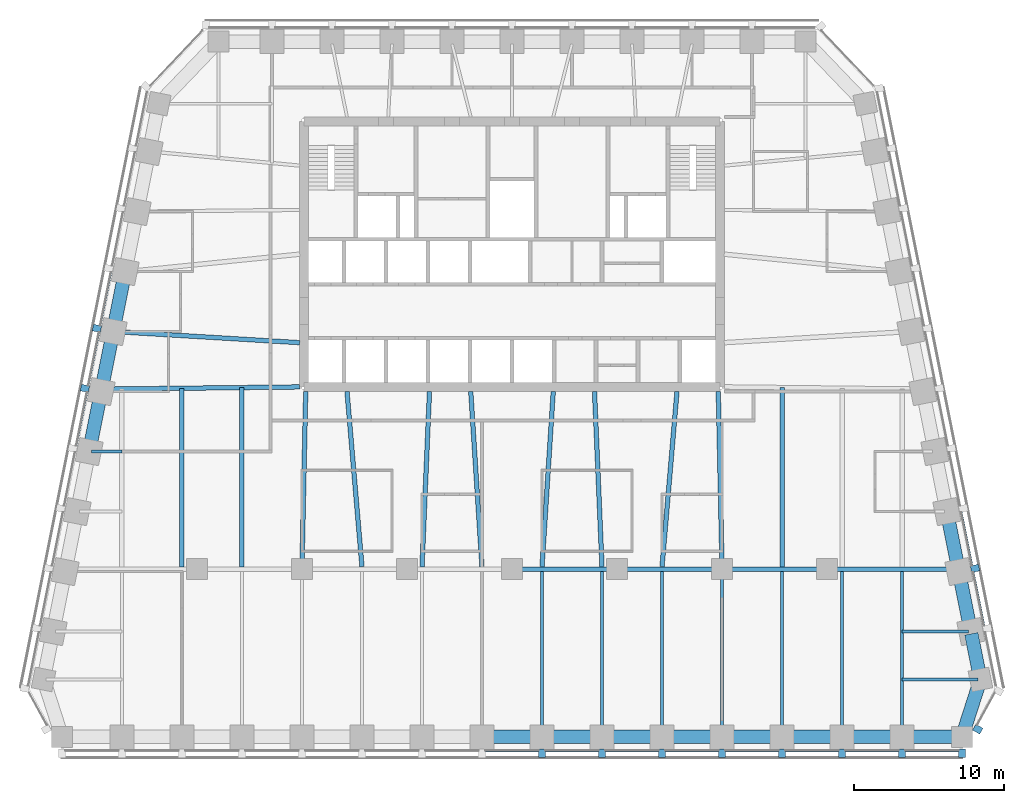
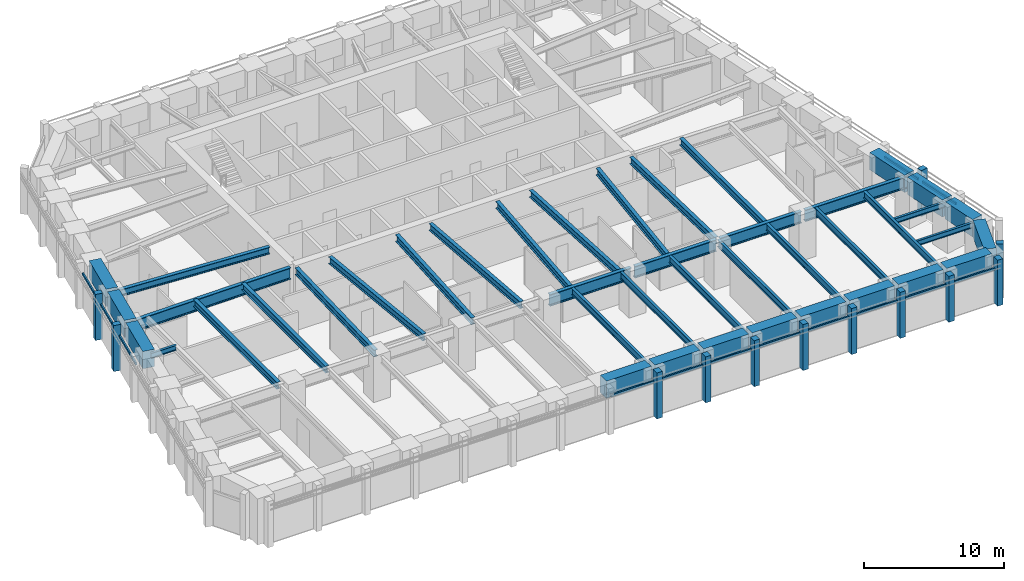
# One storey, part 2 of 10: 42 beams, 25 members, 4 elements without a shape of their own.
"""IFC4 building model written with IfcOpenShell, lengths in metres."""

from ifc_helpers import new_model, si_unit, direction, frame, origin, origin_2d, place, context, subcontext, project, spatial, rectangle, i_section, extrude, material, material_profile, profile_set, type_object, element, aggregate, save


model = new_model("IFC4")

# Units and contexts
model_context = context("Model", 3, precision=1e-05, world=origin(), true_north=direction((0.0, 1.0)))
body_context = subcontext(model_context, "Body", "Model", "MODEL_VIEW")
ifc_project = project(units=[si_unit("LENGTHUNIT", "METRE"), si_unit("AREAUNIT", "SQUARE_METRE"), si_unit("VOLUMEUNIT", "CUBIC_METRE"), si_unit("PLANEANGLEUNIT", "RADIAN"), si_unit("MASSUNIT", "GRAM", prefix="KILO")], contexts=[model_context])

# Site, building, storey
site_placement = place(None, origin())
site = spatial("IfcSite", under=ifc_project, at=site_placement, CompositionType="ELEMENT")
building_placement = place(site_placement, origin())
building = spatial("IfcBuilding", under=site, at=building_placement, Name="Isbrekke Arena Tower", CompositionType="ELEMENT")
storey_placement = place(building_placement, frame((0.0, 0.0, 226.0)))
storey = spatial("IfcBuildingStorey", under=building, at=storey_placement, Name="L52", CompositionType="ELEMENT", Elevation=226.0)

# Beams
ifc_material_1 = material(Name="Steel S355", Category="steel")
ifc_material_profile_1 = material_profile(ifc_material_1, i_section(OverallWidth=0.219970703125, OverallDepth=0.60009765625, WebThickness=0.011962890625, FlangeThickness=0.01904296875, FilletRadius=0.02392578125, at=origin_2d()), Name="IPE 600")
ifc_profile_set_1 = profile_set([ifc_material_profile_1], Name="Steel S355")
beam_type_1 = type_object("IfcBeamType", Name="B1 IPE 600", PredefinedType="BEAM", material=ifc_profile_set_1)
for number, where, z_axis, x_axis, name in (
    (1, (2.0, -17.02490234375, 3.550048828125), (0.0, 1.0, 0.0), (-1.0, 0.0, 0.0), "B1 beam S-S09 L52"),
    (2, (6.0, -17.02490234375, 3.550048828125), (0.0, 1.0, 0.0), (-1.0, 0.0, 0.0), "B1 beam S-S10 L52"),
    (3, (10.0, -17.02490234375, 3.550048828125), (0.0, 1.0, 0.0), (-1.0, 0.0, 0.0), "B1 beam S-S11 L52"),
):
    element("IfcBeam", number, at=place(storey_placement, frame(where, z_axis=z_axis, x_axis=x_axis)), inside=storey, type_object=beam_type_1, Name=name, PredefinedType="BEAM", context=body_context, shape_type="SweptSolid", body=[
        extrude(i_section(OverallWidth=0.219970703125, OverallDepth=0.60009765625, WebThickness=0.011962890625, FlangeThickness=0.01904296875, FilletRadius=0.02392578125, at=origin_2d()), origin(), (0.0, 0.0, 1.0), 10.8740234375),
    ])
beam_1_placement = place(storey_placement, frame((14.0, -17.02490234375, 3.550048828125), z_axis=(0.0, 1.0, 0.0), x_axis=(-1.0, 0.0, 0.0)))
element("IfcBeam", 4, at=beam_1_placement, inside=storey, type_object=beam_type_1, Name="B1 beam S-S12 L52", PredefinedType="BEAM", context=body_context, shape_type="SweptSolid", body=[
    extrude(i_section(OverallWidth=0.219970703125, OverallDepth=0.60009765625, WebThickness=0.011962890625, FlangeThickness=0.01904296875, FilletRadius=0.02392578125, at=origin_2d()), origin(), (0.0, 0.0, 1.0), 10.875),
])
for number, where, z_axis, x_axis, name in (
    (5, (18.0, -17.02490234375, 3.550048828125), (0.0, 1.0, 0.0), (-1.0, 0.0, 0.0), "B1 beam S-S13 L52"),
    (6, (22.0, -17.02490234375, 3.550048828125), (0.0, 1.0, 0.0), (-1.0, 0.0, 0.0), "B1 beam S-S14 L52"),
    (7, (26.0, -17.02490234375, 3.550048828125), (0.0, 1.0, 0.0), (-1.0, 0.0, 0.0), "B1 beam S-S15 L52"),
):
    element("IfcBeam", number, at=place(storey_placement, frame(where, z_axis=z_axis, x_axis=x_axis)), inside=storey, type_object=beam_type_1, Name=name, PredefinedType="BEAM", context=body_context, shape_type="SweptSolid", body=[
        extrude(i_section(OverallWidth=0.219970703125, OverallDepth=0.60009765625, WebThickness=0.011962890625, FlangeThickness=0.01904296875, FilletRadius=0.02392578125, at=origin_2d()), origin(), (0.0, 0.0, 1.0), 10.8740234375),
    ])
ifc_material_2 = material(Name="Steel S355", Category="steel")
ifc_material_profile_2 = material_profile(ifc_material_2, i_section(OverallWidth=0.18994140625, OverallDepth=0.449951171875, WebThickness=0.009521484375, FlangeThickness=0.0146484375, FilletRadius=0.02099609375, at=origin_2d()), Name="IPE 450")
ifc_profile_set_2 = profile_set([ifc_material_profile_2], Name="Steel S355")
beam_type_2 = type_object("IfcBeamType", Name="B2 IPE 450", PredefinedType="BEAM", material=ifc_profile_set_2)
beam_2_placement = place(storey_placement, frame((31.079345703125, -13.352783203125, 3.625), z_axis=(-1.0, 0.0, 0.0), x_axis=(0.0, -1.0, 0.0)))
element("IfcBeam", 8, at=beam_2_placement, inside=storey, type_object=beam_type_2, Name="B2 beam E-E01 L52", PredefinedType="BEAM", context=body_context, shape_type="SweptSolid", body=[
    extrude(i_section(OverallWidth=0.18994140625, OverallDepth=0.449951171875, WebThickness=0.009521484375, FlangeThickness=0.0146484375, FilletRadius=0.02099609375, at=origin_2d()), origin(), (0.0, 0.0, 1.0), 5.079345703125),
])
beam_3_placement = place(storey_placement, frame((30.44091796875, -10.161865234375, 3.625), z_axis=(-1.0, 0.0, 0.0), x_axis=(0.0, -1.0, 0.0)))
element("IfcBeam", 9, at=beam_3_placement, inside=storey, type_object=beam_type_2, Name="B2 beam E-E02 L52", PredefinedType="BEAM", context=body_context, shape_type="SweptSolid", body=[
    extrude(i_section(OverallWidth=0.18994140625, OverallDepth=0.449951171875, WebThickness=0.009521484375, FlangeThickness=0.0146484375, FilletRadius=0.02099609375, at=origin_2d()), origin(), (0.0, 0.0, 1.0), 4.44091796875),
])
beam_4_placement = place(storey_placement, frame((-28.041015625, 1.838134765625, 3.625), z_axis=(1.0, 0.0, 0.0), x_axis=(0.0, 1.0, 0.0)))
element("IfcBeam", 10, at=beam_4_placement, inside=storey, type_object=beam_type_2, Name="B2 beam E-W07 L52", PredefinedType="BEAM", context=body_context, shape_type="SweptSolid", body=[
    extrude(i_section(OverallWidth=0.18994140625, OverallDepth=0.449951171875, WebThickness=0.009521484375, FlangeThickness=0.0146484375, FilletRadius=0.02099609375, at=origin_2d()), origin(), (0.0, 0.0, 1.0), 2.041015625),
])
ifc_material_3 = material(Name="Steel S355", Category="steel")
ifc_material_profile_3 = material_profile(ifc_material_3, i_section(OverallWidth=0.300048828125, OverallDepth=0.60009765625, WebThickness=0.015380859375, FlangeThickness=0.030029296875, FilletRadius=0.027099609375, at=origin_2d()), Name="HEB 600")
ifc_profile_set_3 = profile_set([ifc_material_profile_3], Name="Steel S355")
beam_type_3 = type_object("IfcBeamType", Name="B7 HEB 600", PredefinedType="BEAM", material=ifc_profile_set_3)
beam_5_placement = place(storey_placement, frame((-22.0, -5.84912109375, 3.550048828125), z_axis=(0.0, 1.0, 0.0), x_axis=(-1.0, 0.0, 0.0)))
element("IfcBeam", 11, at=beam_5_placement, inside=storey, type_object=beam_type_3, Name="B7 beam C-M02 L52", PredefinedType="BEAM", context=body_context, shape_type="SweptSolid", body=[
    extrude(i_section(OverallWidth=0.300048828125, OverallDepth=0.60009765625, WebThickness=0.015380859375, FlangeThickness=0.030029296875, FilletRadius=0.027099609375, at=origin_2d()), origin(), (0.0, 0.0, 1.0), 11.91015625),
])
beam_6_placement = place(storey_placement, frame((-18.0, -5.84912109375, 3.550048828125), z_axis=(0.0, 1.0, 0.0), x_axis=(-1.0, 0.0, 0.0)))
element("IfcBeam", 12, at=beam_6_placement, inside=storey, type_object=beam_type_3, Name="B7 beam C-M03 L52", PredefinedType="BEAM", context=body_context, shape_type="SweptSolid", body=[
    extrude(i_section(OverallWidth=0.300048828125, OverallDepth=0.60009765625, WebThickness=0.015380859375, FlangeThickness=0.030029296875, FilletRadius=0.027099609375, at=origin_2d()), origin(), (0.0, 0.0, 1.0), 11.95556640625),
])
beam_7_placement = place(storey_placement, frame((-14.0, -5.8466796875, 3.550048828125), z_axis=(0.021368528218, 0.999771666933, 0.0), x_axis=(-0.999771666933, 0.021368528218, 0.0)))
element("IfcBeam", 13, at=beam_7_placement, inside=storey, type_object=beam_type_3, Name="B7 beam C-M04 L52", PredefinedType="BEAM", context=body_context, shape_type="SweptSolid", body=[
    extrude(i_section(OverallWidth=0.300048828125, OverallDepth=0.60009765625, WebThickness=0.015380859375, FlangeThickness=0.030029296875, FilletRadius=0.027099609375, at=origin_2d()), origin(), (0.0, 0.0, 1.0), 11.699462890625),
])
beam_8_placement = place(storey_placement, frame((-10.0009765625, -5.836181640625, 3.550048828125), z_axis=(-0.085176202372, 0.996365903948, 0.0), x_axis=(-0.996365903948, -0.085176202372, 0.0)))
element("IfcBeam", 14, at=beam_8_placement, inside=storey, type_object=beam_type_3, Name="B7 beam C-M05 L52", PredefinedType="BEAM", context=body_context, shape_type="SweptSolid", body=[
    extrude(i_section(OverallWidth=0.300048828125, OverallDepth=0.60009765625, WebThickness=0.015380859375, FlangeThickness=0.030029296875, FilletRadius=0.027099609375, at=origin_2d()), origin(), (0.0, 0.0, 1.0), 11.72900390625),
])
beam_9_placement = place(storey_placement, frame((-5.999755859375, -5.842529296875, 3.550048828125), z_axis=(0.042702124015, 0.999087848292, 0.0), x_axis=(-0.999087848292, 0.042702124015, 0.0)))
element("IfcBeam", 15, at=beam_9_placement, inside=storey, type_object=beam_type_3, Name="B7 beam C-M06 L52", PredefinedType="BEAM", context=body_context, shape_type="SweptSolid", body=[
    extrude(i_section(OverallWidth=0.300048828125, OverallDepth=0.60009765625, WebThickness=0.015380859375, FlangeThickness=0.030029296875, FilletRadius=0.027099609375, at=origin_2d()), origin(), (0.0, 0.0, 1.0), 11.703369140625),
])
for number, where, z_axis, x_axis, name in (
    (16, (-2.000732421875, -5.83935546875, 3.550048828125), (-0.063966475255, 0.997952047968, 0.0), (-0.997952047968, -0.063966475255, 0.0), "B7 beam C-M07 L52"),
    (17, (2.000732421875, -5.83935546875, 3.550048828125), (0.063966475255, 0.997952047968, 0.0), (-0.997952047968, 0.063966475255, 0.0), "B7 beam C-M08 L52"),
):
    element("IfcBeam", number, at=place(storey_placement, frame(where, z_axis=z_axis, x_axis=x_axis)), inside=storey, type_object=beam_type_3, Name=name, PredefinedType="BEAM", context=body_context, shape_type="SweptSolid", body=[
        extrude(i_section(OverallWidth=0.300048828125, OverallDepth=0.60009765625, WebThickness=0.015380859375, FlangeThickness=0.030029296875, FilletRadius=0.027099609375, at=origin_2d()), origin(), (0.0, 0.0, 1.0), 11.71337890625),
    ])
beam_10_placement = place(storey_placement, frame((5.999755859375, -5.842529296875, 3.550048828125), z_axis=(-0.042702124015, 0.999087848292, 0.0), x_axis=(-0.999087848292, -0.042702124015, 0.0)))
element("IfcBeam", 18, at=beam_10_placement, inside=storey, type_object=beam_type_3, Name="B7 beam C-M09 L52", PredefinedType="BEAM", context=body_context, shape_type="SweptSolid", body=[
    extrude(i_section(OverallWidth=0.300048828125, OverallDepth=0.60009765625, WebThickness=0.015380859375, FlangeThickness=0.030029296875, FilletRadius=0.027099609375, at=origin_2d()), origin(), (0.0, 0.0, 1.0), 11.703369140625),
])
beam_11_placement = place(storey_placement, frame((10.0009765625, -5.836181640625, 3.550048828125), z_axis=(0.085176202372, 0.996365903948, 0.0), x_axis=(-0.996365903948, 0.085176202372, 0.0)))
element("IfcBeam", 19, at=beam_11_placement, inside=storey, type_object=beam_type_3, Name="B7 beam C-M10 L52", PredefinedType="BEAM", context=body_context, shape_type="SweptSolid", body=[
    extrude(i_section(OverallWidth=0.300048828125, OverallDepth=0.60009765625, WebThickness=0.015380859375, FlangeThickness=0.030029296875, FilletRadius=0.027099609375, at=origin_2d()), origin(), (0.0, 0.0, 1.0), 11.72900390625),
])
beam_12_placement = place(storey_placement, frame((14.0, -5.8466796875, 3.550048828125), z_axis=(-0.021368528218, 0.999771666933, 0.0), x_axis=(-0.999771666933, -0.021368528218, 0.0)))
element("IfcBeam", 20, at=beam_12_placement, inside=storey, type_object=beam_type_3, Name="B7 beam C-M11 L52", PredefinedType="BEAM", context=body_context, shape_type="SweptSolid", body=[
    extrude(i_section(OverallWidth=0.300048828125, OverallDepth=0.60009765625, WebThickness=0.015380859375, FlangeThickness=0.030029296875, FilletRadius=0.027099609375, at=origin_2d()), origin(), (0.0, 0.0, 1.0), 11.699462890625),
])
beam_13_placement = place(storey_placement, frame((18.0, -5.84912109375, 3.550048828125), z_axis=(0.0, 1.0, 0.0), x_axis=(-1.0, 0.0, 0.0)))
element("IfcBeam", 21, at=beam_13_placement, inside=storey, type_object=beam_type_3, Name="B7 beam C-M12 L52", PredefinedType="BEAM", context=body_context, shape_type="SweptSolid", body=[
    extrude(i_section(OverallWidth=0.300048828125, OverallDepth=0.60009765625, WebThickness=0.015380859375, FlangeThickness=0.030029296875, FilletRadius=0.027099609375, at=origin_2d()), origin(), (0.0, 0.0, 1.0), 11.95556640625),
])
beam_14_placement = place(storey_placement, frame((-26.43212890625, 9.837646484375, 3.550048828125), z_axis=(0.998201854902, -0.059942112659, 0.0), x_axis=(0.059942112659, 0.998201854902, 0.0)))
element("IfcBeam", 22, at=beam_14_placement, inside=storey, type_object=beam_type_3, Name="B7 beam E-W05 L52", PredefinedType="BEAM", context=body_context, shape_type="SweptSolid", body=[
    extrude(i_section(OverallWidth=0.300048828125, OverallDepth=0.60009765625, WebThickness=0.015380859375, FlangeThickness=0.030029296875, FilletRadius=0.027099609375, at=origin_2d()), origin(), (0.0, 0.0, 1.0), 12.304443359375),
])

# Curtain wall, members
ifc_material_4 = material(Name="Glazed aluminium curtain wall", Category="aluminium")
curtain_wall_type = type_object("IfcCurtainWallType", Name="CWH TOWER CURTAIN WALL HIGH ZONE", PredefinedType="USERDEFINED", material=ifc_material_4)
curtain_wall_1_placement = place(storey_placement, origin())
curtain_wall_1 = element("IfcCurtainWall", 23, at=curtain_wall_1_placement, inside=storey, type_object=curtain_wall_type, Name="CWH curtain wall L52-S", ObjectType="TOWER CURTAIN WALL HIGH ZONE", PredefinedType="USERDEFINED")
ifc_material_5 = material(Name="Aluminium mullion, pale brick slip cladding", Category="masonry")
ifc_material_profile_4 = material_profile(ifc_material_5, rectangle(XDim=0.449951171875, YDim=0.550048828125, at=origin_2d()), Name="PIER 450X550")
ifc_profile_set_4 = profile_set([ifc_material_profile_4], Name="Aluminium mullion, pale brick slip cladding")
member_type_1 = type_object("IfcMemberType", Name="CWH-M PIER MULLION 450 x 550", PredefinedType="MULLION", material=ifc_profile_set_4)
member_1_placement = place(storey_placement, frame((2.0, -18.27490234375, 0.0), z_axis=(0.0, 0.0, 1.0), x_axis=(1.0, 0.0, 0.0)))
member_1 = element("IfcMember", 24, at=member_1_placement, type_object=member_type_1, Name="CWH-M mullion 9", PredefinedType="MULLION", context=body_context, shape_type="SweptSolid", body=[
    extrude(rectangle(XDim=0.449951171875, YDim=0.550048828125, at=origin_2d()), origin(), (0.0, 0.0, 1.0), 4.0),
])
member_2_placement = place(storey_placement, frame((6.0, -18.27490234375, 0.0), z_axis=(0.0, 0.0, 1.0), x_axis=(1.0, 0.0, 0.0)))
member_2 = element("IfcMember", 25, at=member_2_placement, type_object=member_type_1, Name="CWH-M mullion 10", PredefinedType="MULLION", context=body_context, shape_type="SweptSolid", body=[
    extrude(rectangle(XDim=0.449951171875, YDim=0.550048828125, at=origin_2d()), origin(), (0.0, 0.0, 1.0), 4.0),
])
member_3_placement = place(storey_placement, frame((10.0, -18.27490234375, 0.0), z_axis=(0.0, 0.0, 1.0), x_axis=(1.0, 0.0, 0.0)))
member_3 = element("IfcMember", 26, at=member_3_placement, type_object=member_type_1, Name="CWH-M mullion 11", PredefinedType="MULLION", context=body_context, shape_type="SweptSolid", body=[
    extrude(rectangle(XDim=0.449951171875, YDim=0.550048828125, at=origin_2d()), origin(), (0.0, 0.0, 1.0), 4.0),
])
member_4_placement = place(storey_placement, frame((14.0, -18.27490234375, 0.0), z_axis=(0.0, 0.0, 1.0), x_axis=(1.0, 0.0, 0.0)))
member_4 = element("IfcMember", 27, at=member_4_placement, type_object=member_type_1, Name="CWH-M mullion 12", PredefinedType="MULLION", context=body_context, shape_type="SweptSolid", body=[
    extrude(rectangle(XDim=0.449951171875, YDim=0.550048828125, at=origin_2d()), origin(), (0.0, 0.0, 1.0), 4.0),
])
member_5_placement = place(storey_placement, frame((18.0, -18.27490234375, 0.0), z_axis=(0.0, 0.0, 1.0), x_axis=(1.0, 0.0, 0.0)))
member_5 = element("IfcMember", 28, at=member_5_placement, type_object=member_type_1, Name="CWH-M mullion 13", PredefinedType="MULLION", context=body_context, shape_type="SweptSolid", body=[
    extrude(rectangle(XDim=0.449951171875, YDim=0.550048828125, at=origin_2d()), origin(), (0.0, 0.0, 1.0), 4.0),
])
member_6_placement = place(storey_placement, frame((22.0, -18.27490234375, 0.0), z_axis=(0.0, 0.0, 1.0), x_axis=(1.0, 0.0, 0.0)))
member_6 = element("IfcMember", 29, at=member_6_placement, type_object=member_type_1, Name="CWH-M mullion 14", PredefinedType="MULLION", context=body_context, shape_type="SweptSolid", body=[
    extrude(rectangle(XDim=0.449951171875, YDim=0.550048828125, at=origin_2d()), origin(), (0.0, 0.0, 1.0), 4.0),
])
member_7_placement = place(storey_placement, frame((26.0, -18.27490234375, 0.0), z_axis=(0.0, 0.0, 1.0), x_axis=(1.0, 0.0, 0.0)))
member_7 = element("IfcMember", 30, at=member_7_placement, type_object=member_type_1, Name="CWH-M mullion 15", PredefinedType="MULLION", context=body_context, shape_type="SweptSolid", body=[
    extrude(rectangle(XDim=0.449951171875, YDim=0.550048828125, at=origin_2d()), origin(), (0.0, 0.0, 1.0), 4.0),
])
member_8_placement = place(storey_placement, frame((30.0, -18.27490234375, 0.0), z_axis=(0.0, 0.0, 1.0), x_axis=(1.0, 0.0, 0.0)))
member_8 = element("IfcMember", 31, at=member_8_placement, type_object=member_type_1, Name="CWH-M mullion 16", PredefinedType="MULLION", context=body_context, shape_type="SweptSolid", body=[
    extrude(rectangle(XDim=0.449951171875, YDim=0.550048828125, at=origin_2d()), origin(), (0.0, 0.0, 1.0), 4.0),
])

# Curtain wall, member
curtain_wall_2_placement = place(storey_placement, origin())
curtain_wall_2 = element("IfcCurtainWall", 32, at=curtain_wall_2_placement, inside=storey, type_object=curtain_wall_type, Name="CWH curtain wall L52-SE", ObjectType="TOWER CURTAIN WALL HIGH ZONE", PredefinedType="USERDEFINED")
member_9_placement = place(storey_placement, frame((31.047119140625, -16.666748046875, 0.0), z_axis=(0.0, 0.0, 1.0), x_axis=(0.481918749773, 0.876215908676, 0.0)))
member_9 = element("IfcMember", 33, at=member_9_placement, type_object=member_type_1, Name="CWH-M mullion 1", PredefinedType="MULLION", context=body_context, shape_type="SweptSolid", body=[
    extrude(rectangle(XDim=0.449951171875, YDim=0.550048828125, at=origin_2d()), origin(), (0.0, 0.0, 1.0), 4.0),
])
aggregate(curtain_wall_2, [member_9])

curtain_wall_3_placement = place(storey_placement, origin())
curtain_wall_3 = element("IfcCurtainWall", 34, at=curtain_wall_3_placement, inside=storey, type_object=curtain_wall_type, Name="CWH curtain wall L52-E", ObjectType="TOWER CURTAIN WALL HIGH ZONE", PredefinedType="USERDEFINED")
member_10_placement = place(storey_placement, frame((30.86962890625, -5.946044921875, 0.0), z_axis=(0.0, 0.0, 1.0), x_axis=(-0.196116135138, 0.980580675691, 0.0)))
member_10 = element("IfcMember", 35, at=member_10_placement, type_object=member_type_1, Name="CWH-M mullion 2", PredefinedType="MULLION", context=body_context, shape_type="SweptSolid", body=[
    extrude(rectangle(XDim=0.449951171875, YDim=0.550048828125, at=origin_2d()), origin(), (0.0, 0.0, 1.0), 4.0),
])

# Curtain wall, members
curtain_wall_4_placement = place(storey_placement, origin())
curtain_wall_4 = element("IfcCurtainWall", 36, at=curtain_wall_4_placement, inside=storey, type_object=curtain_wall_type, Name="CWH curtain wall L52-W", ObjectType="TOWER CURTAIN WALL HIGH ZONE", PredefinedType="USERDEFINED")
member_11_placement = place(storey_placement, frame((-27.669677734375, 10.053955078125, 0.0), z_axis=(0.0, 0.0, 1.0), x_axis=(-0.196116135138, -0.980580675691, 0.0)))
member_11 = element("IfcMember", 37, at=member_11_placement, type_object=member_type_1, Name="CWH-M mullion 4", PredefinedType="MULLION", context=body_context, shape_type="SweptSolid", body=[
    extrude(rectangle(XDim=0.449951171875, YDim=0.550048828125, at=origin_2d()), origin(), (0.0, 0.0, 1.0), 4.0),
])
member_12_placement = place(storey_placement, frame((-28.4697265625, 6.053955078125, 0.0), z_axis=(0.0, 0.0, 1.0), x_axis=(-0.196116135138, -0.980580675691, 0.0)))
member_12 = element("IfcMember", 38, at=member_12_placement, type_object=member_type_1, Name="CWH-M mullion 5", PredefinedType="MULLION", context=body_context, shape_type="SweptSolid", body=[
    extrude(rectangle(XDim=0.449951171875, YDim=0.550048828125, at=origin_2d()), origin(), (0.0, 0.0, 1.0), 4.0),
])

# Member
ifc_material_6 = material(Name="Aluminium transom", Category="aluminium")
ifc_material_profile_5 = material_profile(ifc_material_6, rectangle(XDim=0.1201171875, YDim=0.199951171875, at=origin_2d()), Name="TRANSOM 120X200")
ifc_profile_set_5 = profile_set([ifc_material_profile_5], Name="Aluminium transom")
member_type_2 = type_object("IfcMemberType", Name="CWH-T TRANSOM 120 x 200", PredefinedType="USERDEFINED", material=ifc_profile_set_5)
member_13_placement = place(storey_placement, frame((-1.77490234375, -18.10009765625, 3.0), z_axis=(1.0, 0.0, 0.0), x_axis=(0.0, 1.0, 0.0)))
member_13 = element("IfcMember", 39, at=member_13_placement, type_object=member_type_2, Name="CWH-T transom 8", ObjectType="TRANSOM", PredefinedType="USERDEFINED", context=body_context, shape_type="SweptSolid", body=[
    extrude(rectangle(XDim=0.1201171875, YDim=0.199951171875, at=origin_2d()), origin(), (0.0, 0.0, 1.0), 3.5498046875),
])

member_14_placement = place(storey_placement, frame((2.22509765625, -18.10009765625, 3.0), z_axis=(1.0, 0.0, 0.0), x_axis=(0.0, 1.0, 0.0)))
member_14 = element("IfcMember", 40, at=member_14_placement, type_object=member_type_2, Name="CWH-T transom 9", ObjectType="TRANSOM", PredefinedType="USERDEFINED", context=body_context, shape_type="SweptSolid", body=[
    extrude(rectangle(XDim=0.1201171875, YDim=0.199951171875, at=origin_2d()), origin(), (0.0, 0.0, 1.0), 3.5498046875),
])

member_15_placement = place(storey_placement, frame((6.22509765625, -18.10009765625, 3.0), z_axis=(1.0, 0.0, 0.0), x_axis=(0.0, 1.0, 0.0)))
member_15 = element("IfcMember", 41, at=member_15_placement, type_object=member_type_2, Name="CWH-T transom 10", ObjectType="TRANSOM", PredefinedType="USERDEFINED", context=body_context, shape_type="SweptSolid", body=[
    extrude(rectangle(XDim=0.1201171875, YDim=0.199951171875, at=origin_2d()), origin(), (0.0, 0.0, 1.0), 3.5498046875),
])

member_16_placement = place(storey_placement, frame((10.22509765625, -18.10009765625, 3.0), z_axis=(1.0, 0.0, 0.0), x_axis=(0.0, 1.0, 0.0)))
member_16 = element("IfcMember", 42, at=member_16_placement, type_object=member_type_2, Name="CWH-T transom 11", ObjectType="TRANSOM", PredefinedType="USERDEFINED", context=body_context, shape_type="SweptSolid", body=[
    extrude(rectangle(XDim=0.1201171875, YDim=0.199951171875, at=origin_2d()), origin(), (0.0, 0.0, 1.0), 3.5498046875),
])

member_17_placement = place(storey_placement, frame((14.22509765625, -18.10009765625, 3.0), z_axis=(1.0, 0.0, 0.0), x_axis=(0.0, 1.0, 0.0)))
member_17 = element("IfcMember", 43, at=member_17_placement, type_object=member_type_2, Name="CWH-T transom 12", ObjectType="TRANSOM", PredefinedType="USERDEFINED", context=body_context, shape_type="SweptSolid", body=[
    extrude(rectangle(XDim=0.1201171875, YDim=0.199951171875, at=origin_2d()), origin(), (0.0, 0.0, 1.0), 3.5498046875),
])

member_18_placement = place(storey_placement, frame((18.22509765625, -18.10009765625, 3.0), z_axis=(1.0, 0.0, 0.0), x_axis=(0.0, 1.0, 0.0)))
member_18 = element("IfcMember", 44, at=member_18_placement, type_object=member_type_2, Name="CWH-T transom 13", ObjectType="TRANSOM", PredefinedType="USERDEFINED", context=body_context, shape_type="SweptSolid", body=[
    extrude(rectangle(XDim=0.1201171875, YDim=0.199951171875, at=origin_2d()), origin(), (0.0, 0.0, 1.0), 3.5498046875),
])

member_19_placement = place(storey_placement, frame((22.22509765625, -18.10009765625, 3.0), z_axis=(1.0, 0.0, 0.0), x_axis=(0.0, 1.0, 0.0)))
member_19 = element("IfcMember", 45, at=member_19_placement, type_object=member_type_2, Name="CWH-T transom 14", ObjectType="TRANSOM", PredefinedType="USERDEFINED", context=body_context, shape_type="SweptSolid", body=[
    extrude(rectangle(XDim=0.1201171875, YDim=0.199951171875, at=origin_2d()), origin(), (0.0, 0.0, 1.0), 3.5498046875),
])

member_20_placement = place(storey_placement, frame((26.22509765625, -18.10009765625, 3.0), z_axis=(1.0, 0.0, 0.0), x_axis=(0.0, 1.0, 0.0)))
member_20 = element("IfcMember", 46, at=member_20_placement, type_object=member_type_2, Name="CWH-T transom 15", ObjectType="TRANSOM", PredefinedType="USERDEFINED", context=body_context, shape_type="SweptSolid", body=[
    extrude(rectangle(XDim=0.1201171875, YDim=0.199951171875, at=origin_2d()), origin(), (0.0, 0.0, 1.0), 3.5498046875),
])

aggregate(curtain_wall_1, [member_1, member_2, member_3, member_4, member_5, member_6, member_7, member_8, member_13, member_14, member_15, member_16, member_17, member_18, member_19, member_20])

member_21_placement = place(storey_placement, frame((31.453857421875, -9.759765625, 3.0), z_axis=(-0.196090262229, 0.980585849918, 0.0), x_axis=(-0.980585849918, -0.196090262229, 0.0)))
member_21 = element("IfcMember", 47, at=member_21_placement, type_object=member_type_2, Name="CWH-T transom 2", ObjectType="TRANSOM", PredefinedType="USERDEFINED", context=body_context, shape_type="SweptSolid", body=[
    extrude(rectangle(XDim=0.1201171875, YDim=0.199951171875, at=origin_2d()), origin(), (0.0, 0.0, 1.0), 3.62939453125),
])

member_22_placement = place(storey_placement, frame((30.654052734375, -5.759765625, 3.0), z_axis=(-0.196154943734, 0.980572913173, 0.0), x_axis=(-0.980572913173, -0.196154943734, 0.0)))
member_22 = element("IfcMember", 48, at=member_22_placement, type_object=member_type_2, Name="CWH-T transom 3", ObjectType="TRANSOM", PredefinedType="USERDEFINED", context=body_context, shape_type="SweptSolid", body=[
    extrude(rectangle(XDim=0.1201171875, YDim=0.199951171875, at=origin_2d()), origin(), (0.0, 0.0, 1.0), 3.62939453125),
])

aggregate(curtain_wall_3, [member_10, member_21, member_22])

member_23_placement = place(storey_placement, frame((-26.7421875, 13.799072265625, 3.0), z_axis=(-0.196090262229, -0.980585849918, 0.0), x_axis=(0.980585849918, -0.196090262229, 0.0)))
member_23 = element("IfcMember", 49, at=member_23_placement, type_object=member_type_2, Name="CWH-T transom 4", ObjectType="TRANSOM", PredefinedType="USERDEFINED", context=body_context, shape_type="SweptSolid", body=[
    extrude(rectangle(XDim=0.1201171875, YDim=0.199951171875, at=origin_2d()), origin(), (0.0, 0.0, 1.0), 3.62939453125),
])

member_24_placement = place(storey_placement, frame((-27.542236328125, 9.799072265625, 3.0), z_axis=(-0.196090262229, -0.980585849918, 0.0), x_axis=(0.980585849918, -0.196090262229, 0.0)))
member_24 = element("IfcMember", 50, at=member_24_placement, type_object=member_type_2, Name="CWH-T transom 5", ObjectType="TRANSOM", PredefinedType="USERDEFINED", context=body_context, shape_type="SweptSolid", body=[
    extrude(rectangle(XDim=0.1201171875, YDim=0.199951171875, at=origin_2d()), origin(), (0.0, 0.0, 1.0), 3.62939453125),
])

member_25_placement = place(storey_placement, frame((-28.34228515625, 5.799072265625, 3.0), z_axis=(-0.196090262229, -0.980585849918, 0.0), x_axis=(0.980585849918, -0.196090262229, 0.0)))
member_25 = element("IfcMember", 51, at=member_25_placement, type_object=member_type_2, Name="CWH-T transom 6", ObjectType="TRANSOM", PredefinedType="USERDEFINED", context=body_context, shape_type="SweptSolid", body=[
    extrude(rectangle(XDim=0.1201171875, YDim=0.199951171875, at=origin_2d()), origin(), (0.0, 0.0, 1.0), 3.62939453125),
])

aggregate(curtain_wall_4, [member_11, member_12, member_23, member_24, member_25])

# Beams
ifc_material_7 = material(Name="Steel S355", Category="steel")
ifc_material_profile_6 = material_profile(ifc_material_7, i_section(OverallWidth=0.302001953125, OverallDepth=1.008056640625, WebThickness=0.02099609375, FlangeThickness=0.0400390625, FilletRadius=0.030029296875, at=origin_2d()), Name="HEM 1000")
ifc_profile_set_6 = profile_set([ifc_material_profile_6], Name="Steel S355")
beam_type_4 = type_object("IfcBeamType", Name="G1 HEM 1000", PredefinedType="BEAM", material=ifc_profile_set_6)
for number, where, z_axis, x_axis, name in (
    (52, (0.14990234375, -6.0, 3.345947265625), (1.0, 0.0, 0.0), (0.0, 1.0, 0.0), "G1 beam G1-05 L52"),
    (53, (7.14990234375, -6.0, 3.345947265625), (1.0, 0.0, 0.0), (0.0, 1.0, 0.0), "G1 beam G1-06 L52"),
    (54, (14.14990234375, -6.0, 3.345947265625), (1.0, 0.0, 0.0), (0.0, 1.0, 0.0), "G1 beam G1-07 L52"),
):
    element("IfcBeam", number, at=place(storey_placement, frame(where, z_axis=z_axis, x_axis=x_axis)), inside=storey, type_object=beam_type_4, Name=name, PredefinedType="BEAM", context=body_context, shape_type="SweptSolid", body=[
        extrude(i_section(OverallWidth=0.302001953125, OverallDepth=1.008056640625, WebThickness=0.02099609375, FlangeThickness=0.0400390625, FilletRadius=0.030029296875, at=origin_2d()), origin(), (0.0, 0.0, 1.0), 6.7001953125),
    ])
beam_15_placement = place(storey_placement, frame((21.14990234375, -6.0, 3.345947265625), z_axis=(1.0, 0.0, 0.0), x_axis=(0.0, 1.0, 0.0)))
element("IfcBeam", 55, at=beam_15_placement, inside=storey, type_object=beam_type_4, Name="G1 beam G1-08 L52", PredefinedType="BEAM", context=body_context, shape_type="SweptSolid", body=[
    extrude(i_section(OverallWidth=0.302001953125, OverallDepth=1.008056640625, WebThickness=0.02099609375, FlangeThickness=0.0400390625, FilletRadius=0.030029296875, at=origin_2d()), origin(), (0.0, 0.0, 1.0), 8.64111328125),
])
ifc_material_8 = material(Name="Steel S355", Category="steel")
ifc_material_profile_7 = material_profile(ifc_material_8, i_section(OverallWidth=0.302001953125, OverallDepth=1.008056640625, WebThickness=0.02099609375, FlangeThickness=0.0400390625, FilletRadius=0.030029296875, at=origin_2d()), Name="HEM 1000")
ifc_profile_set_7 = profile_set([ifc_material_profile_7], Name="Steel S355")
beam_type_5 = type_object("IfcBeamType", Name="G2 HEM 1000", PredefinedType="BEAM", material=ifc_profile_set_7)
beam_16_placement = place(storey_placement, frame((-14.14990234375, 6.14990234375, 3.345947265625), z_axis=(-0.999935908299, -0.011321629528, 0.0), x_axis=(0.011321629528, -0.999935908299, 0.0)))
element("IfcBeam", 56, at=beam_16_placement, inside=storey, type_object=beam_type_5, Name="G2 beam G2-W L52", PredefinedType="BEAM", context=body_context, shape_type="SweptSolid", body=[
    extrude(i_section(OverallWidth=0.302001953125, OverallDepth=1.008056640625, WebThickness=0.02099609375, FlangeThickness=0.0400390625, FilletRadius=0.030029296875, at=origin_2d()), origin(), (0.0, 0.0, 1.0), 13.240234375),
])
ifc_material_9 = material(Name="Concrete B65 (C65/80)", Category="concrete")
ifc_material_profile_8 = material_profile(ifc_material_9, rectangle(XDim=0.89990234375, YDim=1.5, at=origin_2d()), Name="RC 900x1500")
ifc_profile_set_8 = profile_set([ifc_material_profile_8], Name="Concrete B65 (C65/80)")
beam_type_6 = type_object("IfcBeamType", Name="SB3 RC 900 x 1500", PredefinedType="SPANDREL", material=ifc_profile_set_8)
for number, where, z_axis, x_axis, name in (
    (57, (-1.85009765625, -17.175048828125, 3.25), (1.0, 0.0, 0.0), (0.0, 1.0, 0.0), "SB3 spandrel S08-S09 L52"),
    (58, (2.14990234375, -17.175048828125, 3.25), (1.0, 0.0, 0.0), (0.0, 1.0, 0.0), "SB3 spandrel S09-S10 L52"),
    (59, (6.14990234375, -17.175048828125, 3.25), (1.0, 0.0, 0.0), (0.0, 1.0, 0.0), "SB3 spandrel S10-S11 L52"),
    (60, (10.14990234375, -17.175048828125, 3.25), (1.0, 0.0, 0.0), (0.0, 1.0, 0.0), "SB3 spandrel S11-S12 L52"),
    (61, (14.14990234375, -17.175048828125, 3.25), (1.0, 0.0, 0.0), (0.0, 1.0, 0.0), "SB3 spandrel S12-S13 L52"),
    (62, (18.14990234375, -17.175048828125, 3.25), (1.0, 0.0, 0.0), (0.0, 1.0, 0.0), "SB3 spandrel S13-S14 L52"),
    (63, (22.14990234375, -17.175048828125, 3.25), (1.0, 0.0, 0.0), (0.0, 1.0, 0.0), "SB3 spandrel S14-S15 L52"),
    (64, (26.14990234375, -17.175048828125, 3.25), (1.0, 0.0, 0.0), (0.0, 1.0, 0.0), "SB3 spandrel S15-S16 L52"),
):
    element("IfcBeam", number, at=place(storey_placement, frame(where, z_axis=z_axis, x_axis=x_axis)), inside=storey, type_object=beam_type_6, Name=name, PredefinedType="SPANDREL", context=body_context, shape_type="SweptSolid", body=[
        extrude(rectangle(XDim=0.89990234375, YDim=1.5, at=origin_2d()), origin(), (0.0, 0.0, 1.0), 3.7001953125),
    ])
beam_17_placement = place(storey_placement, frame((30.0458984375, -17.0322265625, 3.25), z_axis=(0.306175101476, 0.951975213562, 0.0), x_axis=(-0.951975213562, 0.306175101476, 0.0)))
element("IfcBeam", 65, at=beam_17_placement, inside=storey, type_object=beam_type_6, Name="SB3 spandrel S16-E01 L52", PredefinedType="SPANDREL", context=body_context, shape_type="SweptSolid", body=[
    extrude(rectangle(XDim=0.89990234375, YDim=1.5, at=origin_2d()), origin(), (0.0, 0.0, 1.0), 3.715087890625),
])
beam_18_placement = place(storey_placement, frame((31.19970703125, -13.205810546875, 3.25), z_axis=(-0.196100243168, 0.980583853951, 0.0), x_axis=(-0.980583853951, -0.196100243168, 0.0)))
element("IfcBeam", 66, at=beam_18_placement, inside=storey, type_object=beam_type_6, Name="SB3 spandrel E01-E02 L52", PredefinedType="SPANDREL", context=body_context, shape_type="SweptSolid", body=[
    extrude(rectangle(XDim=0.89990234375, YDim=1.5, at=origin_2d()), origin(), (0.0, 0.0, 1.0), 2.954345703125),
])
beam_19_placement = place(storey_placement, frame((30.5615234375, -10.0146484375, 3.25), z_axis=(-0.1960664412, 0.980590613169, 0.0), x_axis=(-0.980590613169, -0.1960664412, 0.0)))
element("IfcBeam", 67, at=beam_19_placement, inside=storey, type_object=beam_type_6, Name="SB3 spandrel E02-E03 L52", PredefinedType="SPANDREL", context=body_context, shape_type="SweptSolid", body=[
    extrude(rectangle(XDim=0.89990234375, YDim=1.5, at=origin_2d()), origin(), (0.0, 0.0, 1.0), 3.779052734375),
])
beam_20_placement = place(storey_placement, frame((29.76171875, -6.0146484375, 3.25), z_axis=(-0.196128558387, 0.980578190959, 0.0), x_axis=(-0.980578190959, -0.196128558387, 0.0)))
element("IfcBeam", 68, at=beam_20_placement, inside=storey, type_object=beam_type_6, Name="SB3 spandrel E03-E04 L52", PredefinedType="SPANDREL", context=body_context, shape_type="SweptSolid", body=[
    extrude(rectangle(XDim=0.89990234375, YDim=1.5, at=origin_2d()), origin(), (0.0, 0.0, 1.0), 3.779296875),
])
beam_21_placement = place(storey_placement, frame((-25.820556640625, 13.691162109375, 3.25), z_axis=(-0.1960664412, -0.980590613169, 0.0), x_axis=(0.980590613169, -0.1960664412, 0.0)))
element("IfcBeam", 69, at=beam_21_placement, inside=storey, type_object=beam_type_6, Name="SB3 spandrel W04-W05 L52", PredefinedType="SPANDREL", context=body_context, shape_type="SweptSolid", body=[
    extrude(rectangle(XDim=0.89990234375, YDim=1.5, at=origin_2d()), origin(), (0.0, 0.0, 1.0), 3.779052734375),
])
for number, where, z_axis, x_axis, name in (
    (70, (-26.620361328125, 9.691162109375, 3.25), (-0.196128558387, -0.980578190959, 0.0), (0.980578190959, -0.196128558387, 0.0), "SB3 spandrel W05-W06 L52"),
    (71, (-27.42041015625, 5.691162109375, 3.25), (-0.196128558387, -0.980578190959, 0.0), (0.980578190959, -0.196128558387, 0.0), "SB3 spandrel W06-W07 L52"),
):
    element("IfcBeam", number, at=place(storey_placement, frame(where, z_axis=z_axis, x_axis=x_axis)), inside=storey, type_object=beam_type_6, Name=name, PredefinedType="SPANDREL", context=body_context, shape_type="SweptSolid", body=[
        extrude(rectangle(XDim=0.89990234375, YDim=1.5, at=origin_2d()), origin(), (0.0, 0.0, 1.0), 3.779296875),
    ])

save(model, "model.ifc")
